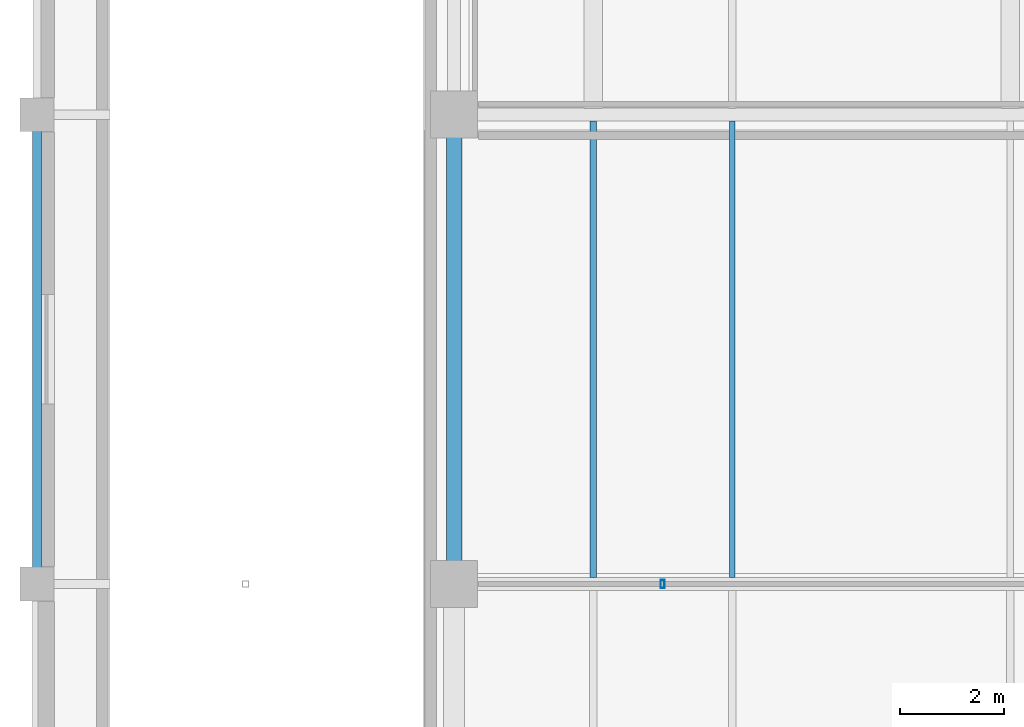
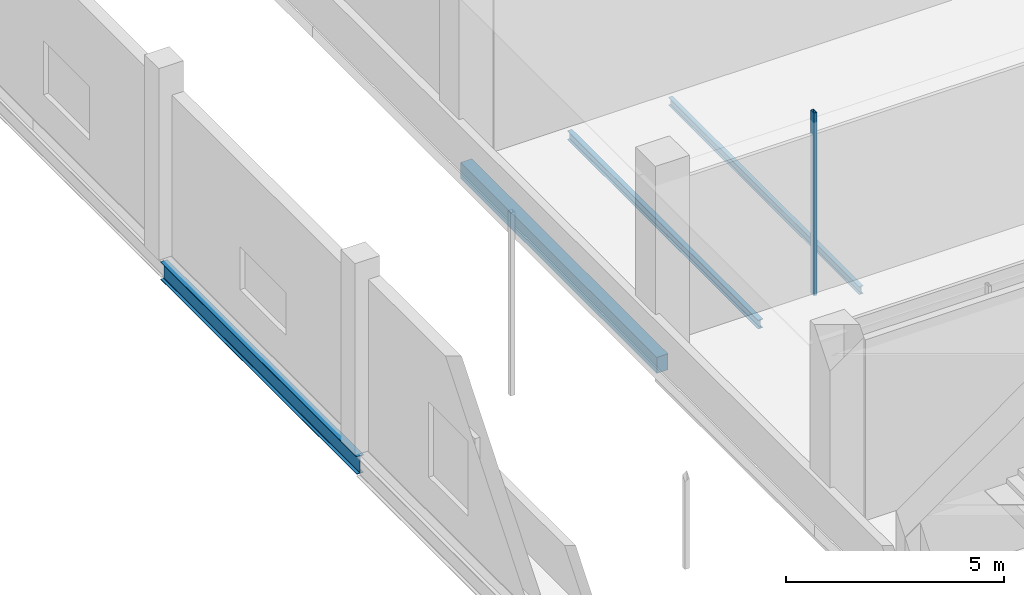
# One storey, part 18 of 57: 4 beams, 1 member.
"""IFC4 building model written with IfcOpenShell, lengths in metres."""

from ifc_helpers import new_model, si_unit, derived_unit, direction, frame, origin, origin_2d, place, context, subcontext, project, spatial, rectangle, hollow_rectangle, i_section, extrude, material, material_profile, profile_set, type_object, element, save


model = new_model("IFC4")

# Units and contexts
model_context = context("Model", 3, precision=1e-05, world=origin(), true_north=direction((0.0, 1.0)))
body_context = subcontext(model_context, "Body", "Model", "MODEL_VIEW")
ifc_project = project(units=[si_unit("LENGTHUNIT", "METRE"), si_unit("AREAUNIT", "SQUARE_METRE"), si_unit("VOLUMEUNIT", "CUBIC_METRE"), si_unit("PLANEANGLEUNIT", "RADIAN"), si_unit("MASSUNIT", "GRAM", prefix="KILO"), derived_unit("THERMALTRANSMITTANCEUNIT", [(si_unit("POWERUNIT", "WATT"), 1), (si_unit("LENGTHUNIT", "METRE"), -2), (si_unit("THERMODYNAMICTEMPERATUREUNIT", "KELVIN"), -1)])], contexts=[model_context])

# Site, building, storey
site_placement = place(None, origin())
site = spatial("IfcSite", under=ifc_project, at=site_placement, CompositionType="ELEMENT")
building_placement = place(site_placement, origin())
building = spatial("IfcBuilding", under=site, at=building_placement, Name="Nallur Shell Playhouse", CompositionType="ELEMENT")
storey_placement = place(building_placement, origin())
storey = spatial("IfcBuildingStorey", under=building, at=storey_placement, Name="L01", CompositionType="ELEMENT", Elevation=0.0)

# Beams
ifc_material_1 = material(Name="Steel E250", Category="steel")
ifc_material_profile_1 = material_profile(ifc_material_1, i_section(OverallWidth=0.110107421875, OverallDepth=0.22509765625, WebThickness=0.006591796875, FlangeThickness=0.01171875, FilletRadius=0.011962890625, at=origin_2d()), Name="ISMB 225")
ifc_profile_set_1 = profile_set([ifc_material_profile_1], Name="Steel E250")
beam_type_1 = type_object("IfcBeamType", Name="BM-JST-ISMB225", PredefinedType="JOIST", material=ifc_profile_set_1)
beam_1_placement = place(storey_placement, frame((21.333251953125, 32.123046875, -0.4326171875), z_axis=(0.0, 1.0, 0.0), x_axis=(-1.0, 0.0, 0.0)))
element("IfcBeam", 1, at=beam_1_placement, inside=storey, type_object=beam_type_1, Name="L01 secondary joist 2-D-191", PredefinedType="JOIST", context=body_context, shape_type="SweptSolid", body=[
    extrude(i_section(OverallWidth=0.110107421875, OverallDepth=0.22509765625, WebThickness=0.006591796875, FlangeThickness=0.01171875, FilletRadius=0.011962890625, at=origin_2d()), origin(), (0.0, 0.0, 1.0), 8.75390625),
])
ifc_material_profile_2 = material_profile(ifc_material_1, i_section(OverallWidth=0.125, OverallDepth=0.25, WebThickness=0.0068359375, FlangeThickness=0.012451171875, FilletRadius=0.012939453125, at=origin_2d()), Name="ISMB 250")
ifc_profile_set_2 = profile_set([ifc_material_profile_2], Name="Steel E250")
beam_type_2 = type_object("IfcBeamType", Name="BM-JST-ISMB250", PredefinedType="JOIST", material=ifc_profile_set_2)
beam_2_placement = place(storey_placement, frame((18.666748046875, 32.123046875, -0.445068359375), z_axis=(0.0, 1.0, 0.0), x_axis=(-1.0, 0.0, 0.0)))
element("IfcBeam", 2, at=beam_2_placement, inside=storey, type_object=beam_type_2, Name="L01 secondary joist 2-D-190", PredefinedType="JOIST", context=body_context, shape_type="SweptSolid", body=[
    extrude(i_section(OverallWidth=0.125, OverallDepth=0.25, WebThickness=0.0068359375, FlangeThickness=0.012451171875, FilletRadius=0.012939453125, at=origin_2d()), origin(), (0.0, 0.0, 1.0), 8.75390625),
])
ifc_material_2 = material(Name="Concrete M35", Category="concrete")
ifc_material_profile_3 = material_profile(ifc_material_2, rectangle(XDim=0.300048828125, YDim=0.449951171875, at=origin_2d()), Name="RC 300x450")
ifc_profile_set_3 = profile_set([ifc_material_profile_3], Name="Concrete M35")
beam_type_3 = type_object("IfcBeamType", Name="BM-SPN-300x450", PredefinedType="SPANDREL", material=ifc_profile_set_3)
beam_3_placement = place(storey_placement, frame((16.0, 32.0, -0.544921875), z_axis=(0.0, 1.0, 0.0), x_axis=(-1.0, 0.0, 0.0)))
element("IfcBeam", 3, at=beam_3_placement, inside=storey, type_object=beam_type_3, Name="L01 girder Y-2-96", PredefinedType="SPANDREL", context=body_context, shape_type="SweptSolid", body=[
    extrude(rectangle(XDim=0.300048828125, YDim=0.449951171875, at=origin_2d()), origin(), (0.0, 0.0, 1.0), 9.0),
])
ifc_material_3 = material(Name="Steel E350", Category="steel")
ifc_material_profile_4 = material_profile(ifc_material_3, i_section(OverallWidth=0.179931640625, OverallDepth=0.5, WebThickness=0.01025390625, FlangeThickness=0.01708984375, FilletRadius=0.01708984375, at=origin_2d()), Name="ISMB 500")
ifc_profile_set_4 = profile_set([ifc_material_profile_4], Name="Steel E350")
beam_type_4 = type_object("IfcBeamType", Name="BM-ST-ISMB500", PredefinedType="BEAM", material=ifc_profile_set_4)
beam_4_placement = place(storey_placement, frame((8.0, 32.0, -0.570068359375), z_axis=(0.0, 1.0, 0.0), x_axis=(-1.0, 0.0, 0.0)))
element("IfcBeam", 4, at=beam_4_placement, inside=storey, type_object=beam_type_4, Name="L01 girder Y-1-90", PredefinedType="BEAM", context=body_context, shape_type="SweptSolid", body=[
    extrude(i_section(OverallWidth=0.179931640625, OverallDepth=0.5, WebThickness=0.01025390625, FlangeThickness=0.01708984375, FilletRadius=0.01708984375, at=origin_2d()), origin(), (0.0, 0.0, 1.0), 9.0),
])

# Member
ifc_material_profile_5 = material_profile(ifc_material_1, hollow_rectangle(XDim=0.080078125, YDim=0.159912109375, WallThickness=0.006103515625, at=origin_2d()), Name="RHS 160x80x6")
ifc_profile_set_5 = profile_set([ifc_material_profile_5], Name="Steel E250")
member_type = type_object("IfcMemberType", Name="MB-STUD-RHS160", PredefinedType="STUD", material=ifc_profile_set_5)
member_placement = place(storey_placement, frame((20.0, 32.0, 0.0), z_axis=(0.0, 0.0, 1.0), x_axis=(1.0, 0.0, 0.0)))
element("IfcMember", 5, at=member_placement, inside=storey, type_object=member_type, Name="L01 acoustic isolation wall stud 06", PredefinedType="STUD", context=body_context, shape_type="SweptSolid", body=[
    extrude(hollow_rectangle(XDim=0.080078125, YDim=0.159912109375, WallThickness=0.006103515625, at=origin_2d()), origin(), (0.0, 0.0, 1.0), 5.1201171875),
])

save(model, "model.ifc")
